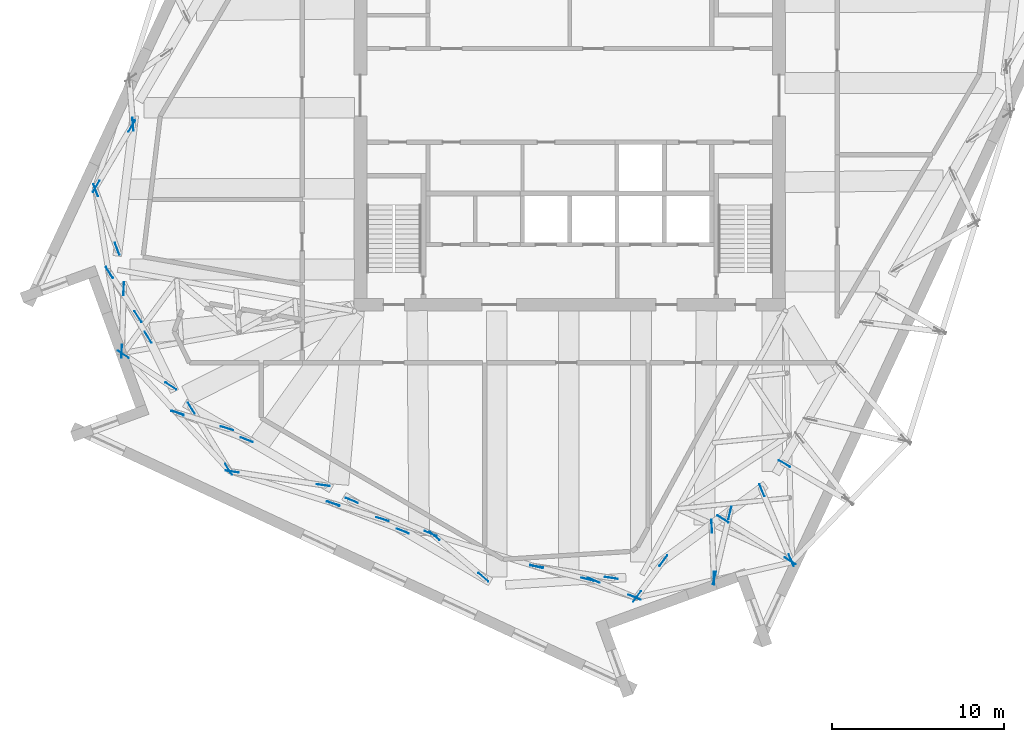
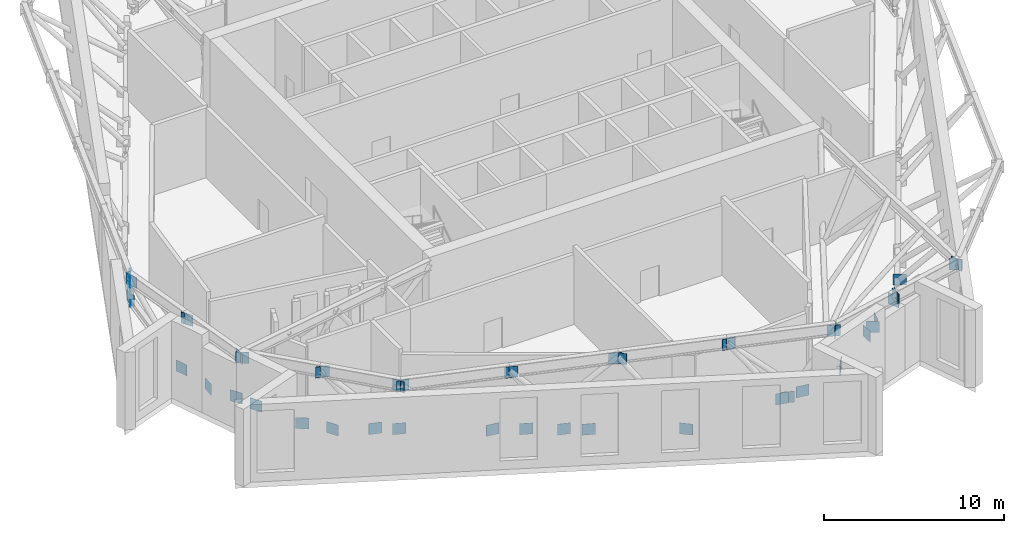
# One storey, part 10 of 15: 46 discrete accessories.
"""IFC4 building model written with IfcOpenShell, lengths in metres."""

from ifc_helpers import new_model, si_unit, direction, frame, origin, origin_2d, place, context, subcontext, project, spatial, rectangle, extrude, material, layer, layer_set, type_object, element, save


model = new_model("IFC4")

# Units and contexts
model_context = context("Model", 3, precision=1e-05, world=origin(), true_north=direction((0.0, 1.0)))
body_context = subcontext(model_context, "Body", "Model", "MODEL_VIEW")
ifc_project = project(units=[si_unit("LENGTHUNIT", "METRE"), si_unit("AREAUNIT", "SQUARE_METRE"), si_unit("VOLUMEUNIT", "CUBIC_METRE"), si_unit("PLANEANGLEUNIT", "RADIAN"), si_unit("MASSUNIT", "GRAM", prefix="KILO")], contexts=[model_context])

# Site, building, storey
site_placement = place(None, origin())
site = spatial("IfcSite", under=ifc_project, at=site_placement, CompositionType="ELEMENT")
building_placement = place(site_placement, origin())
building = spatial("IfcBuilding", under=site, at=building_placement, Name="Dilmun Exchange Tower", CompositionType="ELEMENT")
storey_placement = place(building_placement, frame((0.0, 0.0, 290.89990234375)))
storey = spatial("IfcBuildingStorey", under=building, at=storey_placement, Name="L69", CompositionType="ELEMENT", Elevation=290.89990234375)

# Discrete accessories
ifc_material = material(Name="Steel S355J2", Category="steel")
ifc_layer = layer(ifc_material, 0.02001953125)
ifc_layer_set = layer_set([ifc_layer], Name="Steel S355J2")
discrete_accessory_type = type_object("IfcDiscreteAccessoryType", Name="Gusset plate 20 x 750 x 750", PredefinedType="BRACKET", material=ifc_layer_set)
for number, where, z_axis, x_axis, name in (
    (1, (-25.404052734375, -1.6767578125, 0.035888671875), (0.0, 0.0, 1.0), (0.080529464307, -0.99675222868, 0.0), "Gusset plate L69-DG11 end 2"),
    (2, (-27.56640625, -5.519287109375, 4.324462890625), (0.0, 0.0, 1.0), (0.343653138463, -0.939096651269, 0.0), "Gusset plate L69-DG13 end 1"),
    (3, (-26.3232421875, -8.916748046875, 0.018798828125), (0.0, 0.0, 1.0), (0.343653138463, -0.939096651269, 0.0), "Gusset plate L69-DG13 end 2"),
    (4, (-27.541259765625, -5.292724609375, 4.334228515625), (0.0, 0.0, 1.0), (0.507827069161, 0.861459034329, 0.0), "Gusset plate L69-DG14 end 1"),
    (5, (-25.471435546875, -1.781494140625, 0.18359375), (0.0, 0.0, 1.0), (0.507827069161, 0.861459034329, 0.0), "Gusset plate L69-DG14 end 2"),
    (6, (-26.774658203125, -10.2919921875, 4.315673828125), (0.0, 0.0, 1.0), (0.544671237252, -0.83864965469, 0.0), "Gusset plate L69-DG15 end 1"),
    (7, (-25.102783203125, -12.8662109375, 0.027587890625), (0.0, 0.0, 1.0), (0.544671237252, -0.83864965469, 0.0), "Gusset plate L69-DG15 end 2"),
    (8, (-26.765625, -10.314697265625, 4.336181640625), (0.0, 0.0, 1.0), (0.513726943147, -0.857953744607, 0.0), "Gusset plate L69-DG16 end 1"),
    (9, (-24.523681640625, -14.05859375, 0.007080078125), (0.0, 0.0, 1.0), (0.513726943147, -0.857953744607, 0.0), "Gusset plate L69-DG16 end 2"),
    (10, (-25.964599609375, -15.05859375, 4.319580078125), (0.0, 0.0, 1.0), (0.832345143309, -0.554257667885, 0.0), "Gusset plate L69-DG17 end 1"),
    (11, (-23.201904296875, -16.898193359375, 0.0234375), (0.0, 0.0, 1.0), (0.832345143309, -0.554257667885, 0.0), "Gusset plate L69-DG17 end 2"),
    (12, (-26.05615234375, -14.8740234375, 4.324951171875), (0.0, 0.0, 1.0), (0.031920139644, 0.999490422508, 0.0), "Gusset plate L69-DG18 end 1"),
    (13, (-25.93994140625, -11.233154296875, 0.018310546875), (0.0, 0.0, 1.0), (0.031920139644, 0.999490422508, 0.0), "Gusset plate L69-DG18 end 2"),
    (14, (-22.8134765625, -18.458251953125, 4.314697265625), (0.0, 0.0, 1.0), (0.954281551492, -0.298909217793, 0.0), "Gusset plate L69-DG19 end 1"),
    (15, (-19.935546875, -19.359619140625, 0.0283203125), (0.0, 0.0, 1.0), (0.954281551492, -0.298909217793, 0.0), "Gusset plate L69-DG19 end 2"),
    (16, (-22.79345703125, -18.4736328125, 4.3349609375), (0.0, 0.0, 1.0), (0.932403304067, -0.361419532627, 0.0), "Gusset plate L69-DG20 end 1"),
    (17, (-18.7900390625, -20.025390625, 0.00830078125), (0.0, 0.0, 1.0), (0.932403304067, -0.361419532627, 0.0), "Gusset plate L69-DG20 end 2"),
    (18, (-19.840576171875, -21.74609375, 4.3330078125), (0.0, 0.0, 1.0), (-0.519736826561, 0.854326419535, 0.0), "Gusset plate L69-DG21 end 1"),
    (19, (-21.999755859375, -18.19677734375, 0.01025390625), (0.0, 0.0, 1.0), (-0.519736826561, 0.854326419535, 0.0), "Gusset plate L69-DG21 end 2"),
    (20, (-19.629150390625, -21.87841796875, 4.349853515625), (0.0, 0.0, 1.0), (0.989044995425, -0.147614352366, 0.0), "Gusset plate L69-DG22 end 1"),
    (21, (-14.33349609375, -22.668701171875, -0.006591796875), (0.0, 0.0, 1.0), (0.989044995425, -0.147614352366, 0.0), "Gusset plate L69-DG22 end 2"),
    (22, (-13.7626953125, -23.730712890625, 4.314697265625), (0.0, 0.0, 1.0), (0.952838552401, -0.303477664843, 0.0), "Gusset plate L69-DG23 end 1"),
    (23, (-10.89208984375, -24.64501953125, 0.028564453125), (0.0, 0.0, 1.0), (0.952838552401, -0.303477664843, 0.0), "Gusset plate L69-DG23 end 2"),
    (24, (-13.741943359375, -23.74658203125, 4.335693359375), (0.0, 0.0, 1.0), (0.930532022665, -0.366210533429, 0.0), "Gusset plate L69-DG24 end 1"),
    (25, (-9.704345703125, -25.335693359375, 0.007568359375), (0.0, 0.0, 1.0), (0.930532022665, -0.366210533429, 0.0), "Gusset plate L69-DG24 end 2"),
    (26, (-7.864501953125, -25.6181640625, 4.326171875), (0.0, 0.0, 1.0), (0.763170442817, -0.646197241723, 0.0), "Gusset plate L69-DG25 end 1"),
    (27, (-5.024169921875, -28.023193359375, 0.01708984375), (0.0, 0.0, 1.0), (0.763170442817, -0.646197241723, 0.0), "Gusset plate L69-DG25 end 2"),
    (28, (-8.088134765625, -25.484130859375, 4.3447265625), (0.0, 0.0, 1.0), (-0.921698717508, 0.387906527587, 0.0), "Gusset plate L69-DG26 end 1"),
    (29, (-12.677978515625, -23.552490234375, -0.001708984375), (0.0, 0.0, 1.0), (-0.921698717508, 0.387906527587, 0.0), "Gusset plate L69-DG26 end 2"),
    (30, (-1.944580078125, -27.40576171875, 4.31591796875), (0.0, 0.0, 1.0), (0.970952901092, -0.239270691605, 0.0), "Gusset plate L69-DG27 end 1"),
    (31, (1.048095703125, -28.143310546875, 0.02734375), (0.0, 0.0, 1.0), (0.970952901092, -0.239270691605, 0.0), "Gusset plate L69-DG27 end 2"),
    (32, (-1.9189453125, -27.399658203125, 4.33642578125), (0.0, 0.0, 1.0), (0.988545572957, -0.150922662933, 0.0), "Gusset plate L69-DG28 end 1"),
    (33, (2.419677734375, -28.06201171875, 0.0068359375), (0.0, 0.0, 1.0), (0.988545572957, -0.150922662933, 0.0), "Gusset plate L69-DG28 end 2"),
    (34, (3.7666015625, -29.18310546875, 4.3076171875), (0.0, 0.0, 1.0), (-0.923966336846, 0.3824738009, 0.0), "Gusset plate L69-DG29 end 1"),
    (35, (1.385986328125, -28.197509765625, 0.03564453125), (0.0, 0.0, 1.0), (-0.923966336846, 0.3824738009, 0.0), "Gusset plate L69-DG29 end 2"),
    (36, (3.91357421875, -29.141845703125, 4.3076171875), (0.0, 0.0, 1.0), (0.59238586717, 0.805654382709, 0.0), "Gusset plate L69-DG30 end 1"),
    (37, (5.443603515625, -27.060791015625, 0.035400390625), (0.0, 0.0, 1.0), (0.59238586717, 0.805654382709, 0.0), "Gusset plate L69-DG30 end 2"),
    (38, (8.42138671875, -28.059814453125, 4.328857421875), (0.0, 0.0, 1.0), (0.229672649032, 0.973267935507, 0.0), "Gusset plate L69-DG31 end 1"),
    (39, (9.3134765625, -24.279296875, 0.014404296875), (0.0, 0.0, 1.0), (0.229672649032, 0.973267935507, 0.0), "Gusset plate L69-DG31 end 2"),
    (40, (8.387939453125, -28.07421875, 4.314697265625), (0.0, 0.0, 1.0), (-0.042658606228, 0.999089707341, 0.0), "Gusset plate L69-DG32 end 1"),
    (41, (8.259521484375, -25.064697265625, 0.028564453125), (0.0, 0.0, 1.0), (-0.042658606228, 0.999089707341, 0.0), "Gusset plate L69-DG32 end 2"),
    (42, (12.877197265625, -27.02099609375, 4.33642578125), (0.0, 0.0, 1.0), (-0.387093999814, 0.92204025688, 0.0), "Gusset plate L69-DG33 end 1"),
    (43, (11.17626953125, -22.968994140625, 0.006591796875), (0.0, 0.0, 1.0), (-0.387093999814, 0.92204025688, 0.0), "Gusset plate L69-DG33 end 2"),
    (44, (12.813232421875, -27.07177734375, 4.339599609375), (0.0, 0.0, 1.0), (-0.848069367796, 0.529885220974, 0.0), "Gusset plate L69-DG34 end 1"),
    (45, (8.90966796875, -24.6328125, 0.003662109375), (0.0, 0.0, 1.0), (-0.848069367796, 0.529885220974, 0.0), "Gusset plate L69-DG34 end 2"),
    (46, (12.482177734375, -21.4130859375, 0.00830078125), (0.0, 0.0, 1.0), (-0.863344473308, 0.504615021981, 0.0), "Gusset plate L69-DG35 end 2"),
):
    element("IfcDiscreteAccessory", number, at=place(storey_placement, frame(where, z_axis=z_axis, x_axis=x_axis)), inside=storey, type_object=discrete_accessory_type, Name=name, PredefinedType="BRACKET", context=body_context, shape_type="SweptSolid", body=[
        extrude(rectangle(XDim=0.75, YDim=0.02001953125, at=origin_2d()), origin(), (0.0, 0.0, 1.0), 0.75),
    ])

save(model, "model.ifc")
